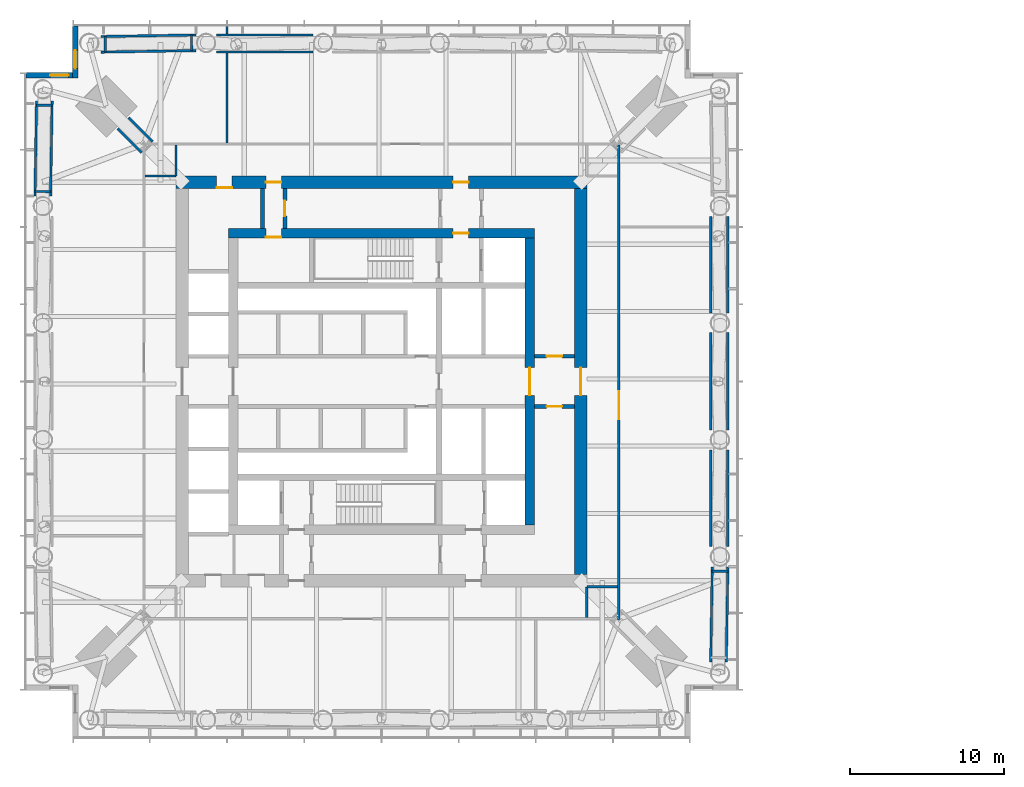
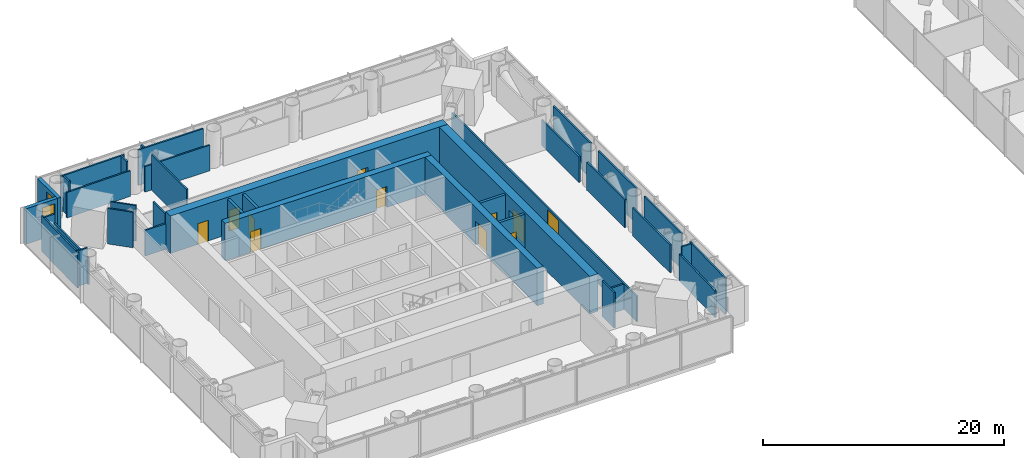
# One storey, part 12 of 18: 38 walls, 11 doors, 2 windows, 13 openings.
"""IFC4 building model written with IfcOpenShell, lengths in metres."""

from ifc_helpers import new_model, si_unit, direction, frame, frame_2d, origin, place, context, subcontext, project, spatial, rectangle, extrude, material, layer, layer_set, type_object, element, fill, save


model = new_model("IFC4")

# Units and contexts
model_context = context("Model", 3, precision=1e-05, world=origin(), true_north=direction((0.0, 1.0)))
body_context = subcontext(model_context, "Body", "Model", "MODEL_VIEW")
ifc_project = project(units=[si_unit("LENGTHUNIT", "METRE"), si_unit("AREAUNIT", "SQUARE_METRE"), si_unit("VOLUMEUNIT", "CUBIC_METRE"), si_unit("PLANEANGLEUNIT", "RADIAN"), si_unit("MASSUNIT", "GRAM", prefix="KILO")], contexts=[model_context])

# Site, building, storey
site_placement = place(None, origin())
site = spatial("IfcSite", under=ifc_project, at=site_placement, CompositionType="ELEMENT")
building_placement = place(site_placement, origin())
building = spatial("IfcBuilding", under=site, at=building_placement, Name="Ostroluk Exchange", CompositionType="ELEMENT")
storey_placement = place(building_placement, frame((0.0, 0.0, 85.60009765625)))
storey = spatial("IfcBuildingStorey", under=building, at=storey_placement, Name="L21", CompositionType="ELEMENT", Elevation=85.60009765625)

# Wall, opening, door
ifc_material_1 = material(Name="Concrete blockwork", Category="masonry")
ifc_layer_1 = layer(ifc_material_1, 0.25)
ifc_layer_set_1 = layer_set([ifc_layer_1], Name="Blockwork stair enclosure wall 250")
wall_type_1 = type_object("IfcWallType", Name="Blockwork stair enclosure wall 250", PredefinedType="SOLIDWALL", material=ifc_layer_set_1)
wall_1_placement = place(storey_placement, frame((54.89990234375, 44.375, 0.0), z_axis=(0.0, 0.0, 1.0), x_axis=(1.0, 0.0, 0.0)))
wall_1 = element("IfcWall", 1, at=wall_1_placement, inside=storey, type_object=wall_type_1, Name="Lift lobby enclosure wall", PredefinedType="SOLIDWALL", context=body_context, shape_type="SweptSolid", body=[
    extrude(rectangle(XDim=2.60009765625, YDim=0.25, at=frame_2d((1.300048828125, 0.0))), origin(), (0.0, 0.0, 1.0), 3.599853515625),
])
opening_1_placement = place(wall_1_placement, frame((0.800048828125, 0.0, 0.0)))
opening_1 = element("IfcOpeningElement", 2, at=opening_1_placement, cuts=wall_1, Name="Opening FD60", PredefinedType="OPENING", context=body_context, shape_type="SweptSolid", body=[
    extrude(rectangle(XDim=1.0, YDim=2.10009765625, at=frame_2d((0.5, 1.050048828125))), frame((0.0, 0.135009765625, 0.0), z_axis=(0.0, -1.0, 0.0), x_axis=(1.0, 0.0, 0.0)), (0.0, 0.0, 1.0), 0.27001953125),
])
ifc_material_2 = material(Name="Steel", Category="steel")
door_type_1 = type_object("IfcDoorType", Name="Fire door EI 60 1000 x 2100", OperationType="SINGLE_SWING_LEFT", PredefinedType="DOOR", material=ifc_material_2)
door_1_placement = place(opening_1_placement, origin())
door_1 = element("IfcDoor", 3, at=door_1_placement, inside=storey, type_object=door_type_1, Name="Core link door", OperationType="SINGLE_SWING_LEFT", OverallHeight=2.10009765625, OverallWidth=1.0, PredefinedType="DOOR", context=body_context, shape_type="SweptSolid", body=[
    extrude(rectangle(XDim=1.0, YDim=2.10009765625, at=frame_2d((0.5, 1.050048828125))), frame((0.0, 0.02490234375, 0.0), z_axis=(0.0, -1.0, 0.0), x_axis=(1.0, 0.0, 0.0)), (0.0, 0.0, 1.0), 0.050048828125),
])
fill(opening_1, door_1)

wall_2_placement = place(storey_placement, frame((54.89990234375, 47.625, 0.0), z_axis=(0.0, 0.0, 1.0), x_axis=(1.0, 0.0, 0.0)))
wall_2 = element("IfcWall", 4, at=wall_2_placement, inside=storey, type_object=wall_type_1, Name="Lift lobby enclosure wall", PredefinedType="SOLIDWALL", context=body_context, shape_type="SweptSolid", body=[
    extrude(rectangle(XDim=2.60009765625, YDim=0.25, at=frame_2d((1.300048828125, 0.0))), origin(), (0.0, 0.0, 1.0), 3.599853515625),
])
opening_2_placement = place(wall_2_placement, frame((0.800048828125, 0.0, 0.0)))
opening_2 = element("IfcOpeningElement", 5, at=opening_2_placement, cuts=wall_2, Name="Opening FD60", PredefinedType="OPENING", context=body_context, shape_type="SweptSolid", body=[
    extrude(rectangle(XDim=1.0, YDim=2.10009765625, at=frame_2d((0.5, 1.050048828125))), frame((0.0, 0.135009765625, 0.0), z_axis=(0.0, -1.0, 0.0), x_axis=(1.0, 0.0, 0.0)), (0.0, 0.0, 1.0), 0.27001953125),
])
door_2_placement = place(opening_2_placement, origin())
door_2 = element("IfcDoor", 6, at=door_2_placement, inside=storey, type_object=door_type_1, Name="Core link door", OperationType="SINGLE_SWING_LEFT", OverallHeight=2.10009765625, OverallWidth=1.0, PredefinedType="DOOR", context=body_context, shape_type="SweptSolid", body=[
    extrude(rectangle(XDim=1.0, YDim=2.10009765625, at=frame_2d((0.5, 1.050048828125))), frame((0.0, 0.02490234375, 0.0), z_axis=(0.0, -1.0, 0.0), x_axis=(1.0, 0.0, 0.0)), (0.0, 0.0, 1.0), 0.050048828125),
])
fill(opening_2, door_2)

# Wall
wall_3_placement = place(storey_placement, frame((37.300048828125, 55.89990234375, 0.0), z_axis=(0.0, 0.0, 1.0), x_axis=(0.0, 1.0, 0.0)))
element("IfcWall", 7, at=wall_3_placement, inside=storey, type_object=wall_type_1, Name="Core corridor wall", PredefinedType="SOLIDWALL", context=body_context, shape_type="SweptSolid", body=[
    extrude(rectangle(XDim=2.60009765625, YDim=0.25, at=frame_2d((1.300048828125, 0.0))), origin(), (0.0, 0.0, 1.0), 3.599853515625),
])

# Wall, opening, door
wall_4_placement = place(storey_placement, frame((38.75, 55.89990234375, 0.0), z_axis=(0.0, 0.0, 1.0), x_axis=(0.0, 1.0, 0.0)))
wall_4 = element("IfcWall", 8, at=wall_4_placement, inside=storey, type_object=wall_type_1, Name="Core corridor wall", PredefinedType="SOLIDWALL", context=body_context, shape_type="SweptSolid", body=[
    extrude(rectangle(XDim=2.60009765625, YDim=0.25, at=frame_2d((1.300048828125, 0.0))), origin(), (0.0, 0.0, 1.0), 3.599853515625),
])
opening_3_placement = place(wall_4_placement, frame((0.800048828125, 0.0, 0.0)))
opening_3 = element("IfcOpeningElement", 9, at=opening_3_placement, cuts=wall_4, Name="Opening FD60", PredefinedType="OPENING", context=body_context, shape_type="SweptSolid", body=[
    extrude(rectangle(XDim=1.0, YDim=2.10009765625, at=frame_2d((0.5, 1.050048828125))), frame((0.0, 0.135009765625, 0.0), z_axis=(0.0, -1.0, 0.0), x_axis=(1.0, 0.0, 0.0)), (0.0, 0.0, 1.0), 0.27001953125),
])
door_3_placement = place(opening_3_placement, origin())
door_3 = element("IfcDoor", 10, at=door_3_placement, inside=storey, type_object=door_type_1, Name="Core link door", OperationType="SINGLE_SWING_LEFT", OverallHeight=2.10009765625, OverallWidth=1.0, PredefinedType="DOOR", context=body_context, shape_type="SweptSolid", body=[
    extrude(rectangle(XDim=1.0, YDim=2.10009765625, at=frame_2d((0.5, 1.050048828125))), frame((0.0, 0.02490234375, 0.0), z_axis=(0.0, -1.0, 0.0), x_axis=(1.0, 0.0, 0.0)), (0.0, 0.0, 1.0), 0.050048828125),
])
fill(opening_3, door_3)

# Wall, openings, doors
ifc_material_3 = material(Name="Concrete C50/60", Category="concrete")
ifc_layer_2 = layer(ifc_material_3, 0.60009765625)
ifc_layer_set_2 = layer_set([ifc_layer_2], Name="Core wall 600 C50/60")
wall_type_2 = type_object("IfcWallType", Name="Core wall 600 C50/60", PredefinedType="SHEAR", material=ifc_layer_set_2)
wall_5_placement = place(storey_placement, frame((35.10009765625, 55.60009765625, 0.0), z_axis=(0.0, 0.0, 1.0), x_axis=(1.0, 0.0, 0.0)))
wall_5 = element("IfcWall", 11, at=wall_5_placement, inside=storey, type_object=wall_type_2, Name="T1 core wall N", PredefinedType="SHEAR", context=body_context, shape_type="SweptSolid", body=[
    extrude(rectangle(XDim=19.7998046875, YDim=0.60009765625, at=frame_2d((9.89990234375, 0.0))), origin(), (0.0, 0.0, 1.0), 3.7998046875),
])
opening_4_placement = place(wall_5_placement, frame((14.5400390625, 0.0, 0.0)))
opening_4 = element("IfcOpeningElement", 12, at=opening_4_placement, cuts=wall_5, Name="Opening FD60", PredefinedType="OPENING", context=body_context, shape_type="SweptSolid", body=[
    extrude(rectangle(XDim=1.0, YDim=2.10009765625, at=frame_2d((0.5, 1.050048828125))), frame((0.0, 0.31005859375, 0.0), z_axis=(0.0, -1.0, 0.0), x_axis=(1.0, 0.0, 0.0)), (0.0, 0.0, 1.0), 0.6201171875),
])
opening_5_placement = place(wall_5_placement, frame((2.425048828125, 0.0, 0.0)))
opening_5 = element("IfcOpeningElement", 13, at=opening_5_placement, cuts=wall_5, Name="Opening FD60", PredefinedType="OPENING", context=body_context, shape_type="SweptSolid", body=[
    extrude(rectangle(XDim=1.0, YDim=2.10009765625, at=frame_2d((0.5, 1.050048828125))), frame((0.0, 0.31005859375, 0.0), z_axis=(0.0, -1.0, 0.0), x_axis=(1.0, 0.0, 0.0)), (0.0, 0.0, 1.0), 0.6201171875),
])
door_4_placement = place(opening_4_placement, origin())
door_4 = element("IfcDoor", 14, at=door_4_placement, inside=storey, type_object=door_type_1, Name="Firefighting lobby door", OperationType="SINGLE_SWING_RIGHT", OverallHeight=2.10009765625, OverallWidth=1.0, PredefinedType="DOOR", context=body_context, shape_type="SweptSolid", body=[
    extrude(rectangle(XDim=1.0, YDim=2.10009765625, at=frame_2d((0.5, 1.050048828125))), frame((0.0, 0.02490234375, 0.0), z_axis=(0.0, -1.0, 0.0), x_axis=(1.0, 0.0, 0.0)), (0.0, 0.0, 1.0), 0.050048828125),
])
fill(opening_4, door_4)
door_5_placement = place(opening_5_placement, origin())
door_5 = element("IfcDoor", 15, at=door_5_placement, inside=storey, type_object=door_type_1, Name="Plant control room door", OperationType="SINGLE_SWING_LEFT", OverallHeight=2.10009765625, OverallWidth=1.0, PredefinedType="DOOR", context=body_context, shape_type="SweptSolid", body=[
    extrude(rectangle(XDim=1.0, YDim=2.10009765625, at=frame_2d((0.5, 1.050048828125))), frame((0.0, -0.23974609375, 0.0), z_axis=(0.0, -1.0, 0.0), x_axis=(1.0, 0.0, 0.0)), (0.0, 0.0, 1.0), 0.050048828125),
])
fill(opening_5, door_5)

# Wall, opening, door
wall_6_placement = place(storey_placement, frame((54.60009765625, 36.699951171875, 0.0), z_axis=(0.0, 0.0, 1.0), x_axis=(0.0, 1.0, 0.0)))
wall_6 = element("IfcWall", 16, at=wall_6_placement, inside=storey, type_object=wall_type_2, Name="T1 core wall E", PredefinedType="SHEAR", context=body_context, shape_type="SweptSolid", body=[
    extrude(rectangle(XDim=18.60009765625, YDim=0.60009765625, at=frame_2d((9.300048828125, 0.0))), origin(), (0.0, 0.0, 1.0), 3.7998046875),
])
opening_6_placement = place(wall_6_placement, frame((8.39990234375, 0.0, 0.0)))
opening_6 = element("IfcOpeningElement", 17, at=opening_6_placement, cuts=wall_6, Name="Opening FD30D", PredefinedType="OPENING", context=body_context, shape_type="SweptSolid", body=[
    extrude(rectangle(XDim=1.800048828125, YDim=2.39990234375, at=frame_2d((0.89990234375, 1.199951171875))), frame((0.0, 0.31005859375, 0.0), z_axis=(0.0, -1.0, 0.0), x_axis=(1.0, 0.0, 0.0)), (0.0, 0.0, 1.0), 0.6201171875),
])
ifc_material_4 = material(Name="Timber", Category="wood")
door_type_2 = type_object("IfcDoorType", Name="Lobby double door EI 30 1800 x 2400", OperationType="DOUBLE_DOOR_SINGLE_SWING", PredefinedType="DOOR", material=ifc_material_4)
door_6_placement = place(opening_6_placement, origin())
door_6 = element("IfcDoor", 18, at=door_6_placement, inside=storey, type_object=door_type_2, Name="Lift lobby doors", OperationType="DOUBLE_DOOR_SINGLE_SWING", OverallHeight=2.39990234375, OverallWidth=1.800048828125, PredefinedType="DOOR", context=body_context, shape_type="SweptSolid", body=[
    extrude(rectangle(XDim=1.800048828125, YDim=2.39990234375, at=frame_2d((0.89990234375, 1.199951171875))), frame((0.0, 0.02490234375, 0.0), z_axis=(0.0, -1.0, 0.0), x_axis=(1.0, 0.0, 0.0)), (0.0, 0.0, 1.0), 0.050048828125),
])
fill(opening_6, door_6)

# Wall, openings, doors
ifc_material_5 = material(Name="Concrete C50/60", Category="concrete")
ifc_layer_3 = layer(ifc_material_5, 0.800048828125)
ifc_layer_set_3 = layer_set([ifc_layer_3], Name="Core wall 800 C50/60")
wall_type_3 = type_object("IfcWallType", Name="Core wall 800 C50/60", PredefinedType="SHEAR", material=ifc_layer_set_3)
wall_7_placement = place(storey_placement, frame((31.699951171875, 58.89990234375, 0.0), z_axis=(0.0, 0.0, 1.0), x_axis=(1.0, 0.0, 0.0)))
wall_7 = element("IfcWall", 19, at=wall_7_placement, inside=storey, type_object=wall_type_3, Name="T1 core wall RN", PredefinedType="SHEAR", context=body_context, shape_type="SweptSolid", body=[
    extrude(rectangle(XDim=26.60009765625, YDim=0.800048828125, at=frame_2d((13.300048828125, 0.0))), origin(), (0.0, 0.0, 1.0), 3.7998046875),
])
opening_7_placement = place(wall_7_placement, frame((17.93994140625, 0.0, 0.0)))
opening_7 = element("IfcOpeningElement", 20, at=opening_7_placement, cuts=wall_7, Name="Opening FD60", PredefinedType="OPENING", context=body_context, shape_type="SweptSolid", body=[
    extrude(rectangle(XDim=1.0, YDim=2.10009765625, at=frame_2d((0.5, 1.050048828125))), frame((0.0, 0.409912109375, 0.0), z_axis=(0.0, -1.0, 0.0), x_axis=(1.0, 0.0, 0.0)), (0.0, 0.0, 1.0), 0.820068359375),
])
opening_8_placement = place(wall_7_placement, frame((5.824951171875, 0.0, 0.0)))
opening_8 = element("IfcOpeningElement", 21, at=opening_8_placement, cuts=wall_7, Name="Opening FD60", PredefinedType="OPENING", context=body_context, shape_type="SweptSolid", body=[
    extrude(rectangle(XDim=1.0, YDim=2.10009765625, at=frame_2d((0.5, 1.050048828125))), frame((0.0, 0.409912109375, 0.0), z_axis=(0.0, -1.0, 0.0), x_axis=(1.0, 0.0, 0.0)), (0.0, 0.0, 1.0), 0.820068359375),
])
opening_9_placement = place(wall_7_placement, frame((2.637451171875, 0.0, 0.0)))
opening_9 = element("IfcOpeningElement", 22, at=opening_9_placement, cuts=wall_7, Name="Opening FD60", PredefinedType="OPENING", context=body_context, shape_type="SweptSolid", body=[
    extrude(rectangle(XDim=1.0, YDim=2.10009765625, at=frame_2d((0.5, 1.050048828125))), frame((0.0, 0.409912109375, 0.0), z_axis=(0.0, -1.0, 0.0), x_axis=(1.0, 0.0, 0.0)), (0.0, 0.0, 1.0), 0.820068359375),
])
door_7_placement = place(opening_7_placement, origin())
door_7 = element("IfcDoor", 23, at=door_7_placement, inside=storey, type_object=door_type_1, Name="Firefighting lobby door", OperationType="SINGLE_SWING_RIGHT", OverallHeight=2.10009765625, OverallWidth=1.0, PredefinedType="DOOR", context=body_context, shape_type="SweptSolid", body=[
    extrude(rectangle(XDim=1.0, YDim=2.10009765625, at=frame_2d((0.5, 1.050048828125))), frame((0.0, 0.02490234375, 0.0), z_axis=(0.0, -1.0, 0.0), x_axis=(1.0, 0.0, 0.0)), (0.0, 0.0, 1.0), 0.050048828125),
])
fill(opening_7, door_7)
door_8_placement = place(opening_8_placement, origin())
door_8 = element("IfcDoor", 24, at=door_8_placement, inside=storey, type_object=door_type_1, Name="Core corridor door", OperationType="SINGLE_SWING_LEFT", OverallHeight=2.10009765625, OverallWidth=1.0, PredefinedType="DOOR", context=body_context, shape_type="SweptSolid", body=[
    extrude(rectangle(XDim=1.0, YDim=2.10009765625, at=frame_2d((0.5, 1.050048828125))), frame((0.0, 0.02490234375, 0.0), z_axis=(0.0, -1.0, 0.0), x_axis=(1.0, 0.0, 0.0)), (0.0, 0.0, 1.0), 0.050048828125),
])
fill(opening_8, door_8)
door_9_placement = place(opening_9_placement, origin())
door_9 = element("IfcDoor", 25, at=door_9_placement, inside=storey, type_object=door_type_1, Name="Plant control room door", OperationType="SINGLE_SWING_LEFT", OverallHeight=2.10009765625, OverallWidth=1.0, PredefinedType="DOOR", context=body_context, shape_type="SweptSolid", body=[
    extrude(rectangle(XDim=1.0, YDim=2.10009765625, at=frame_2d((0.5, 1.050048828125))), frame((0.0, -0.33984375, 0.0), z_axis=(0.0, -1.0, 0.0), x_axis=(1.0, 0.0, 0.0)), (0.0, 0.0, 1.0), 0.050048828125),
])
fill(opening_9, door_9)

# Wall, opening, door
wall_8_placement = place(storey_placement, frame((57.89990234375, 33.5, 0.0), z_axis=(0.0, 0.0, 1.0), x_axis=(0.0, 1.0, 0.0)))
wall_8 = element("IfcWall", 26, at=wall_8_placement, inside=storey, type_object=wall_type_3, Name="T1 core wall RE", PredefinedType="SHEAR", context=body_context, shape_type="SweptSolid", body=[
    extrude(rectangle(XDim=25.0, YDim=0.800048828125, at=frame_2d((12.5, 0.0))), origin(), (0.0, 0.0, 1.0), 3.7998046875),
])
opening_10_placement = place(wall_8_placement, frame((11.60009765625, 0.0, 0.0)))
opening_10 = element("IfcOpeningElement", 27, at=opening_10_placement, cuts=wall_8, Name="Opening FD30D", PredefinedType="OPENING", context=body_context, shape_type="SweptSolid", body=[
    extrude(rectangle(XDim=1.800048828125, YDim=2.39990234375, at=frame_2d((0.89990234375, 1.199951171875))), frame((0.0, 0.409912109375, 0.0), z_axis=(0.0, -1.0, 0.0), x_axis=(1.0, 0.0, 0.0)), (0.0, 0.0, 1.0), 0.820068359375),
])
door_10_placement = place(opening_10_placement, origin())
door_10 = element("IfcDoor", 28, at=door_10_placement, inside=storey, type_object=door_type_2, Name="Lift lobby doors", OperationType="DOUBLE_DOOR_SINGLE_SWING", OverallHeight=2.39990234375, OverallWidth=1.800048828125, PredefinedType="DOOR", context=body_context, shape_type="SweptSolid", body=[
    extrude(rectangle(XDim=1.800048828125, YDim=2.39990234375, at=frame_2d((0.89990234375, 1.199951171875))), frame((0.0, 0.02490234375, 0.0), z_axis=(0.0, -1.0, 0.0), x_axis=(1.0, 0.0, 0.0)), (0.0, 0.0, 1.0), 0.050048828125),
])
fill(opening_10, door_10)

# Wall, opening, window
ifc_material_6 = material(Name="Limestone", Category="masonry")
ifc_layer_4 = layer(ifc_material_6, 0.35009765625)
ifc_layer_set_4 = layer_set([ifc_layer_4], Name="Limestone facade wall 350")
wall_type_4 = type_object("IfcWallType", Name="Limestone facade wall 350", PredefinedType="SOLIDWALL", material=ifc_layer_set_4)
wall_9_placement = place(storey_placement, frame((25.175048828125, 69.0, 0.0), z_axis=(0.0, 0.0, 1.0), x_axis=(0.0, -1.0, 0.0)))
wall_9 = element("IfcWall", 29, at=wall_9_placement, inside=storey, type_object=wall_type_4, Name="Office tower NW corner wall L21 a", PredefinedType="SOLIDWALL", context=body_context, shape_type="SweptSolid", body=[
    extrude(rectangle(XDim=3.35009765625, YDim=0.35009765625, at=frame_2d((1.675048828125, 0.0))), origin(), (0.0, 0.0, 1.0), 3.599853515625),
])
opening_11_placement = place(wall_9_placement, frame((1.550048828125, 0.0, 0.60009765625)))
opening_11 = element("IfcOpeningElement", 30, at=opening_11_placement, cuts=wall_9, Name="Opening WN-LV1", PredefinedType="OPENING", context=body_context, shape_type="SweptSolid", body=[
    extrude(rectangle(XDim=1.199951171875, YDim=2.550048828125, at=frame_2d((0.60009765625, 1.27490234375))), frame((0.0, 0.18505859375, 0.0), z_axis=(0.0, -1.0, 0.0), x_axis=(1.0, 0.0, 0.0)), (0.0, 0.0, 1.0), 0.3701171875),
])
ifc_material_7 = material(Name="Aluminium louvre", Category="aluminium")
window_type = type_object("IfcWindowType", Name="Lancet louvre 1200 x 2550", PartitioningType="SINGLE_PANEL", PredefinedType="USERDEFINED", material=ifc_material_7)
window_1_placement = place(opening_11_placement, origin())
window_1 = element("IfcWindow", 31, at=window_1_placement, inside=storey, type_object=window_type, Name="Office tower NW plant louvre L21", ObjectType="LOUVRE", OverallHeight=2.550048828125, OverallWidth=1.199951171875, PartitioningType="SINGLE_PANEL", PredefinedType="USERDEFINED", context=body_context, shape_type="SweptSolid", body=[
    extrude(rectangle(XDim=1.199951171875, YDim=2.550048828125, at=frame_2d((0.60009765625, 1.27490234375))), frame((0.0, 0.030029296875, 0.0), z_axis=(0.0, -1.0, 0.0), x_axis=(1.0, 0.0, 0.0)), (0.0, 0.0, 1.0), 0.06005859375),
])
fill(opening_11, window_1)

wall_10_placement = place(storey_placement, frame((25.0, 65.824951171875, 0.0), z_axis=(0.0, 0.0, 1.0), x_axis=(-1.0, 0.0, 0.0)))
wall_10 = element("IfcWall", 32, at=wall_10_placement, inside=storey, type_object=wall_type_4, Name="Office tower NW corner wall L21 b", PredefinedType="SOLIDWALL", context=body_context, shape_type="SweptSolid", body=[
    extrude(rectangle(XDim=3.0, YDim=0.35009765625, at=frame_2d((1.5, 0.0))), origin(), (0.0, 0.0, 1.0), 3.599853515625),
])
opening_12_placement = place(wall_10_placement, frame((0.25, 0.0, 0.60009765625)))
opening_12 = element("IfcOpeningElement", 33, at=opening_12_placement, cuts=wall_10, Name="Opening WN-LV1", PredefinedType="OPENING", context=body_context, shape_type="SweptSolid", body=[
    extrude(rectangle(XDim=1.199951171875, YDim=2.550048828125, at=frame_2d((0.60009765625, 1.27490234375))), frame((0.0, 0.18505859375, 0.0), z_axis=(0.0, -1.0, 0.0), x_axis=(1.0, 0.0, 0.0)), (0.0, 0.0, 1.0), 0.3701171875),
])
window_2_placement = place(opening_12_placement, origin())
window_2 = element("IfcWindow", 34, at=window_2_placement, inside=storey, type_object=window_type, Name="Office tower NW plant louvre L21", ObjectType="LOUVRE", OverallHeight=2.550048828125, OverallWidth=1.199951171875, PartitioningType="SINGLE_PANEL", PredefinedType="USERDEFINED", context=body_context, shape_type="SweptSolid", body=[
    extrude(rectangle(XDim=1.199951171875, YDim=2.550048828125, at=frame_2d((0.60009765625, 1.27490234375))), frame((0.0, 0.030029296875, 0.0), z_axis=(0.0, -1.0, 0.0), x_axis=(1.0, 0.0, 0.0)), (0.0, 0.0, 1.0), 0.06005859375),
])
fill(opening_12, window_2)

# Wall
ifc_material_8 = material(Name="Gypsum plasterboard partition", Category="gypsum")
ifc_layer_5 = layer(ifc_material_8, 0.14990234375)
ifc_layer_set_5 = layer_set([ifc_layer_5], Name="Plasterboard partition 150")
wall_type_5 = type_object("IfcWallType", Name="Plasterboard partition 150", PredefinedType="PARTITIONING", material=ifc_layer_set_5)
wall_11_placement = place(storey_placement, frame((58.300048828125, 32.699951171875, 0.0), z_axis=(0.0, 0.0, 1.0), x_axis=(1.0, 0.0, 0.0)))
element("IfcWall", 35, at=wall_11_placement, inside=storey, type_object=wall_type_5, Name="Partition", PredefinedType="PARTITIONING", context=body_context, shape_type="SweptSolid", body=[
    extrude(rectangle(XDim=2.0, YDim=0.14990234375, at=frame_2d((1.0, 0.0))), origin(), (0.0, 0.0, 1.0), 2.591796875),
])

# Wall, opening, door
wall_12_placement = place(storey_placement, frame((60.375, 30.550048828125, 0.0), z_axis=(0.0, 0.0, 1.0), x_axis=(0.0, 1.0, 0.0)))
wall_12 = element("IfcWall", 36, at=wall_12_placement, inside=storey, type_object=wall_type_5, Name="Partition", PredefinedType="PARTITIONING", context=body_context, shape_type="SweptSolid", body=[
    extrude(rectangle(XDim=30.75, YDim=0.14990234375, at=frame_2d((15.375, 0.0))), origin(), (0.0, 0.0, 1.0), 2.591796875),
])
opening_13_placement = place(wall_12_placement, frame((13.012451171875, 0.0, 0.0)))
opening_13 = element("IfcOpeningElement", 37, at=opening_13_placement, cuts=wall_12, Name="Opening D-04", PredefinedType="OPENING", context=body_context, shape_type="SweptSolid", body=[
    extrude(rectangle(XDim=1.800048828125, YDim=2.39990234375, at=frame_2d((0.89990234375, 1.199951171875))), frame((0.0, 0.0849609375, 0.0), z_axis=(0.0, -1.0, 0.0), x_axis=(1.0, 0.0, 0.0)), (0.0, 0.0, 1.0), 0.169921875),
])
ifc_material_9 = material(Name="Timber", Category="wood")
door_type_3 = type_object("IfcDoorType", Name="Double door 1800 x 2400", OperationType="DOUBLE_DOOR_SINGLE_SWING", PredefinedType="DOOR", material=ifc_material_9)
door_11_placement = place(opening_13_placement, origin())
door_11 = element("IfcDoor", 38, at=door_11_placement, inside=storey, type_object=door_type_3, Name="Refuge area door", OperationType="DOUBLE_DOOR_SINGLE_SWING", OverallHeight=2.39990234375, OverallWidth=1.800048828125, PredefinedType="DOOR", context=body_context, shape_type="SweptSolid", body=[
    extrude(rectangle(XDim=1.800048828125, YDim=2.39990234375, at=frame_2d((0.89990234375, 1.199951171875))), frame((0.0, 0.02490234375, 0.0), z_axis=(0.0, -1.0, 0.0), x_axis=(1.0, 0.0, 0.0)), (0.0, 0.0, 1.0), 0.050048828125),
])
fill(opening_13, door_11)

# Walls
wall_13_placement = place(storey_placement, frame((31.699951171875, 59.300048828125, 0.0), z_axis=(0.0, 0.0, 1.0), x_axis=(0.0, 1.0, 0.0)))
element("IfcWall", 39, at=wall_13_placement, inside=storey, type_object=wall_type_5, Name="Partition", PredefinedType="PARTITIONING", context=body_context, shape_type="SweptSolid", body=[
    extrude(rectangle(XDim=2.0, YDim=0.14990234375, at=frame_2d((1.0, 0.0))), origin(), (0.0, 0.0, 1.0), 3.599853515625),
])
wall_14_placement = place(storey_placement, frame((35.0, 61.449951171875, 0.0), z_axis=(0.0, 0.0, 1.0), x_axis=(0.0, 1.0, 0.0)))
element("IfcWall", 40, at=wall_14_placement, inside=storey, type_object=wall_type_5, Name="Partition", PredefinedType="PARTITIONING", context=body_context, shape_type="SweptSolid", body=[
    extrude(rectangle(XDim=5.7978515625, YDim=0.14990234375, at=frame_2d((2.89892578125, 0.0))), origin(), (0.0, 0.0, 1.0), 3.599853515625),
])
wall_15_placement = place(storey_placement, frame((35.0, 68.501220703125, 0.0), z_axis=(0.0, 0.0, 1.0), x_axis=(0.0, 1.0, 0.0)))
element("IfcWall", 41, at=wall_15_placement, inside=storey, type_object=wall_type_5, Name="Partition", PredefinedType="PARTITIONING", context=body_context, shape_type="SweptSolid", body=[
    extrude(rectangle(XDim=0.538818359375, YDim=0.14990234375, at=frame_2d((0.26953125, 0.0))), origin(), (0.0, 0.0, 1.0), 3.5498046875),
])
wall_16_placement = place(storey_placement, frame((31.699951171875, 59.300048828125, 0.0), z_axis=(0.0, 0.0, 1.0), x_axis=(-1.0, 0.0, 0.0)))
element("IfcWall", 42, at=wall_16_placement, inside=storey, type_object=wall_type_5, Name="Partition", PredefinedType="PARTITIONING", context=body_context, shape_type="SweptSolid", body=[
    extrude(rectangle(XDim=2.0, YDim=0.14990234375, at=frame_2d((1.0, 0.0))), origin(), (0.0, 0.0, 1.0), 2.591796875),
])
wall_17_placement = place(storey_placement, frame((58.300048828125, 32.699951171875, 0.0), z_axis=(0.0, 0.0, 1.0), x_axis=(0.0, -1.0, 0.0)))
element("IfcWall", 43, at=wall_17_placement, inside=storey, type_object=wall_type_5, Name="Partition", PredefinedType="PARTITIONING", context=body_context, shape_type="SweptSolid", body=[
    extrude(rectangle(XDim=2.0, YDim=0.14990234375, at=frame_2d((1.0, 0.0))), origin(), (0.0, 0.0, 1.0), 3.599853515625),
])
wall_18_placement = place(storey_placement, frame((23.5859375, 58.28466796875, 0.0), z_axis=(0.0, 0.0, 1.0), x_axis=(-0.999865719337, 0.016387290652, 0.0)))
element("IfcWall", 44, at=wall_18_placement, inside=storey, type_object=wall_type_5, Name="Partition", PredefinedType="PARTITIONING", context=body_context, shape_type="SweptSolid", body=[
    extrude(rectangle(XDim=1.01318359375, YDim=0.14990234375, at=frame_2d((0.506591796875, 0.0))), origin(), (0.0, 0.0, 1.0), 3.599853515625),
])
wall_19_placement = place(storey_placement, frame((22.568359375, 58.01123046875, 0.0), z_axis=(0.0, 0.0, 1.0), x_axis=(0.016274790516, 0.999867556826, 0.0)))
element("IfcWall", 45, at=wall_19_placement, inside=storey, type_object=wall_type_5, Name="Partition", PredefinedType="PARTITIONING", context=body_context, shape_type="SweptSolid", body=[
    extrude(rectangle(XDim=6.150390625, YDim=0.14990234375, at=frame_2d((3.0751953125, 0.0))), origin(), (0.0, 0.0, 1.0), 3.599853515625),
])
wall_20_placement = place(storey_placement, frame((22.6640625, 63.890869140625, 0.0), z_axis=(0.0, 0.0, 1.0), x_axis=(0.999869638962, -0.016146364379, 0.0)))
element("IfcWall", 46, at=wall_20_placement, inside=storey, type_object=wall_type_5, Name="Partition", PredefinedType="PARTITIONING", context=body_context, shape_type="SweptSolid", body=[
    extrude(rectangle(XDim=1.01318359375, YDim=0.14990234375, at=frame_2d((0.506591796875, 0.0))), origin(), (0.0, 0.0, 1.0), 3.599853515625),
])
wall_21_placement = place(storey_placement, frame((23.681640625, 64.164306640625, 0.0), z_axis=(0.0, 0.0, 1.0), x_axis=(-0.016275436477, -0.999867546312, 0.0)))
element("IfcWall", 47, at=wall_21_placement, inside=storey, type_object=wall_type_5, Name="Partition", PredefinedType="PARTITIONING", context=body_context, shape_type="SweptSolid", body=[
    extrude(rectangle(XDim=6.150146484375, YDim=0.14990234375, at=frame_2d((3.0751953125, 0.0))), origin(), (0.0, 0.0, 1.0), 2.699951171875),
])
for number, where, z_axis, x_axis, name in (
    (48, (28.629150390625, 63.077880859375, 0.0), (0.0, 0.0, 1.0), (0.707106781187, -0.707106781187, 0.0), "Partition"),
    (49, (29.47509765625, 60.81787109375, 0.0), (0.0, 0.0, 1.0), (-0.707106781187, 0.707106781187, 0.0), "Partition"),
):
    element("IfcWall", number, at=place(storey_placement, frame(where, z_axis=z_axis, x_axis=x_axis)), inside=storey, type_object=wall_type_5, Name=name, PredefinedType="PARTITIONING", context=body_context, shape_type="SweptSolid", body=[
        extrude(rectangle(XDim=2.1962890625, YDim=0.14990234375, at=frame_2d((1.09814453125, 0.0))), origin(), (0.0, 0.0, 1.0), 3.599853515625),
    ])
wall_22_placement = place(storey_placement, frame((40.561279296875, 67.32373046875, 0.0), z_axis=(0.0, 0.0, 1.0), x_axis=(-0.999999987755, -0.000156494521, 0.0)))
element("IfcWall", 50, at=wall_22_placement, inside=storey, type_object=wall_type_5, Name="Partition", PredefinedType="PARTITIONING", context=body_context, shape_type="SweptSolid", body=[
    extrude(rectangle(XDim=6.240234375, YDim=0.14990234375, at=frame_2d((3.1201171875, 0.0))), origin(), (0.0, 0.0, 1.0), 2.591796875),
])
wall_23_placement = place(storey_placement, frame((34.321044921875, 68.426025390625, 0.0), z_axis=(0.0, 0.0, 1.0), x_axis=(0.999999987755, 0.000156494521, 0.0)))
element("IfcWall", 51, at=wall_23_placement, inside=storey, type_object=wall_type_5, Name="Partition", PredefinedType="PARTITIONING", context=body_context, shape_type="SweptSolid", body=[
    extrude(rectangle(XDim=6.240234375, YDim=0.14990234375, at=frame_2d((3.1201171875, 0.0))), origin(), (0.0, 0.0, 1.0), 3.599853515625),
])
wall_24_placement = place(storey_placement, frame((32.985107421875, 67.41845703125, 0.0), z_axis=(0.0, 0.0, 1.0), x_axis=(-0.999867546312, -0.016275436477, 0.0)))
element("IfcWall", 52, at=wall_24_placement, inside=storey, type_object=wall_type_5, Name="Partition", PredefinedType="PARTITIONING", context=body_context, shape_type="SweptSolid", body=[
    extrude(rectangle(XDim=6.150146484375, YDim=0.14990234375, at=frame_2d((3.0751953125, 0.0))), origin(), (0.0, 0.0, 1.0), 2.591796875),
])
wall_25_placement = place(storey_placement, frame((27.12548828125, 67.322998046875, 0.0), z_axis=(0.0, 0.0, 1.0), x_axis=(-0.016146364379, 0.999869638962, 0.0)))
element("IfcWall", 53, at=wall_25_placement, inside=storey, type_object=wall_type_5, Name="Partition", PredefinedType="PARTITIONING", context=body_context, shape_type="SweptSolid", body=[
    extrude(rectangle(XDim=1.01318359375, YDim=0.14990234375, at=frame_2d((0.506591796875, 0.0))), origin(), (0.0, 0.0, 1.0), 3.599853515625),
])
wall_26_placement = place(storey_placement, frame((26.839111328125, 68.33154296875, 0.0), z_axis=(0.0, 0.0, 1.0), x_axis=(0.999867556826, 0.016274790516, 0.0)))
element("IfcWall", 54, at=wall_26_placement, inside=storey, type_object=wall_type_5, Name="Partition", PredefinedType="PARTITIONING", context=body_context, shape_type="SweptSolid", body=[
    extrude(rectangle(XDim=6.150390625, YDim=0.14990234375, at=frame_2d((3.0751953125, 0.0))), origin(), (0.0, 0.0, 1.0), 3.599853515625),
])
wall_27_placement = place(storey_placement, frame((32.69873046875, 68.427001953125, 0.0), z_axis=(0.0, 0.0, 1.0), x_axis=(0.016387290652, -0.999865719337, 0.0)))
element("IfcWall", 55, at=wall_27_placement, inside=storey, type_object=wall_type_5, Name="Partition", PredefinedType="PARTITIONING", context=body_context, shape_type="SweptSolid", body=[
    extrude(rectangle(XDim=1.01318359375, YDim=0.14990234375, at=frame_2d((0.506591796875, 0.0))), origin(), (0.0, 0.0, 1.0), 3.599853515625),
])
wall_28_placement = place(storey_placement, frame((67.431640625, 33.98876953125, 0.0), z_axis=(0.0, 0.0, 1.0), x_axis=(-0.016274790516, -0.999867556826, 0.0)))
element("IfcWall", 56, at=wall_28_placement, inside=storey, type_object=wall_type_5, Name="Partition", PredefinedType="PARTITIONING", context=body_context, shape_type="SweptSolid", body=[
    extrude(rectangle(XDim=6.150390625, YDim=0.14990234375, at=frame_2d((3.0751953125, 0.0))), origin(), (0.0, 0.0, 1.0), 3.599853515625),
])
wall_29_placement = place(storey_placement, frame((66.318359375, 27.835693359375, 0.0), z_axis=(0.0, 0.0, 1.0), x_axis=(0.016275436477, 0.999867546312, 0.0)))
element("IfcWall", 57, at=wall_29_placement, inside=storey, type_object=wall_type_5, Name="Partition", PredefinedType="PARTITIONING", context=body_context, shape_type="SweptSolid", body=[
    extrude(rectangle(XDim=6.150146484375, YDim=0.14990234375, at=frame_2d((3.0751953125, 0.0))), origin(), (0.0, 0.0, 1.0), 2.699951171875),
])
wall_30_placement = place(storey_placement, frame((66.4140625, 33.71533203125, 0.0), z_axis=(0.0, 0.0, 1.0), x_axis=(0.999865719337, -0.016387290652, 0.0)))
element("IfcWall", 58, at=wall_30_placement, inside=storey, type_object=wall_type_5, Name="Partition", PredefinedType="PARTITIONING", context=body_context, shape_type="SweptSolid", body=[
    extrude(rectangle(XDim=1.01318359375, YDim=0.14990234375, at=frame_2d((0.506591796875, 0.0))), origin(), (0.0, 0.0, 1.0), 3.599853515625),
])
wall_31_placement = place(storey_placement, frame((67.427001953125, 41.561279296875, 0.0), z_axis=(0.0, 0.0, 1.0), x_axis=(-0.000156494521, -0.999999987755, 0.0)))
element("IfcWall", 59, at=wall_31_placement, inside=storey, type_object=wall_type_5, Name="Partition", PredefinedType="PARTITIONING", context=body_context, shape_type="SweptSolid", body=[
    extrude(rectangle(XDim=6.240234375, YDim=0.14990234375, at=frame_2d((3.1201171875, 0.0))), origin(), (0.0, 0.0, 1.0), 3.599853515625),
])
wall_32_placement = place(storey_placement, frame((66.32275390625, 35.321044921875, 0.0), z_axis=(0.0, 0.0, 1.0), x_axis=(0.000156494521, 0.999999987755, 0.0)))
element("IfcWall", 60, at=wall_32_placement, inside=storey, type_object=wall_type_5, Name="Partition", PredefinedType="PARTITIONING", context=body_context, shape_type="SweptSolid", body=[
    extrude(rectangle(XDim=6.240234375, YDim=0.14990234375, at=frame_2d((3.1201171875, 0.0))), origin(), (0.0, 0.0, 1.0), 2.837890625),
])
wall_33_placement = place(storey_placement, frame((66.3232421875, 42.8466796875, 0.0), z_axis=(0.0, 0.0, 1.0), x_axis=(0.0, 1.0, 0.0)))
element("IfcWall", 61, at=wall_33_placement, inside=storey, type_object=wall_type_5, Name="Partition", PredefinedType="PARTITIONING", context=body_context, shape_type="SweptSolid", body=[
    extrude(rectangle(XDim=6.306640625, YDim=0.14990234375, at=frame_2d((3.1533203125, 0.0))), origin(), (0.0, 0.0, 1.0), 2.837890625),
])
wall_34_placement = place(storey_placement, frame((67.4267578125, 49.1533203125, 0.0), z_axis=(0.0, 0.0, 1.0), x_axis=(0.0, -1.0, 0.0)))
element("IfcWall", 62, at=wall_34_placement, inside=storey, type_object=wall_type_5, Name="Partition", PredefinedType="PARTITIONING", context=body_context, shape_type="SweptSolid", body=[
    extrude(rectangle(XDim=6.306640625, YDim=0.14990234375, at=frame_2d((3.1533203125, 0.0))), origin(), (0.0, 0.0, 1.0), 3.599853515625),
])
wall_35_placement = place(storey_placement, frame((67.426025390625, 56.678955078125, 0.0), z_axis=(0.0, 0.0, 1.0), x_axis=(0.000156494521, -0.999999987755, 0.0)))
element("IfcWall", 63, at=wall_35_placement, inside=storey, type_object=wall_type_5, Name="Partition", PredefinedType="PARTITIONING", context=body_context, shape_type="SweptSolid", body=[
    extrude(rectangle(XDim=6.240234375, YDim=0.14990234375, at=frame_2d((3.1201171875, 0.0))), origin(), (0.0, 0.0, 1.0), 3.599853515625),
])
wall_36_placement = place(storey_placement, frame((66.32373046875, 50.438720703125, 0.0), z_axis=(0.0, 0.0, 1.0), x_axis=(-0.000156494521, 0.999999987755, 0.0)))
element("IfcWall", 64, at=wall_36_placement, inside=storey, type_object=wall_type_5, Name="Partition", PredefinedType="PARTITIONING", context=body_context, shape_type="SweptSolid", body=[
    extrude(rectangle(XDim=6.240234375, YDim=0.14990234375, at=frame_2d((3.1201171875, 0.0))), origin(), (0.0, 0.0, 1.0), 2.591796875),
])

save(model, "model.ifc")
